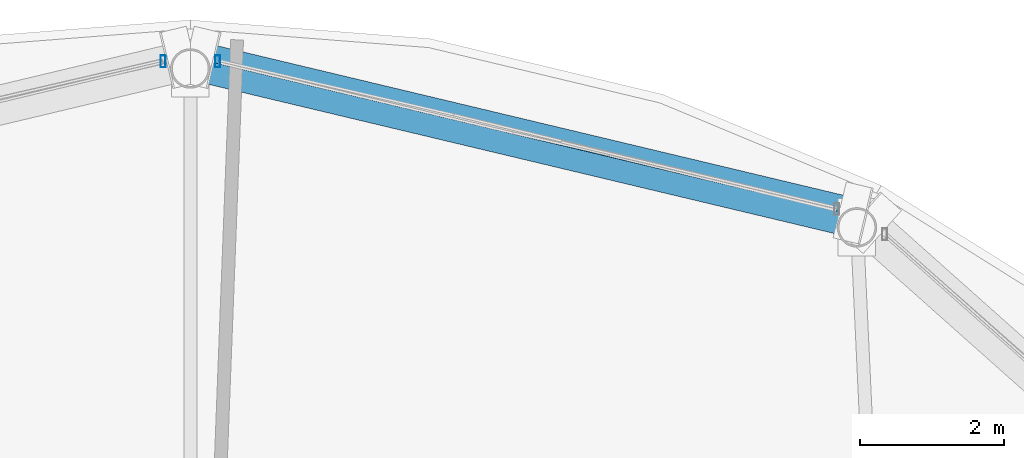
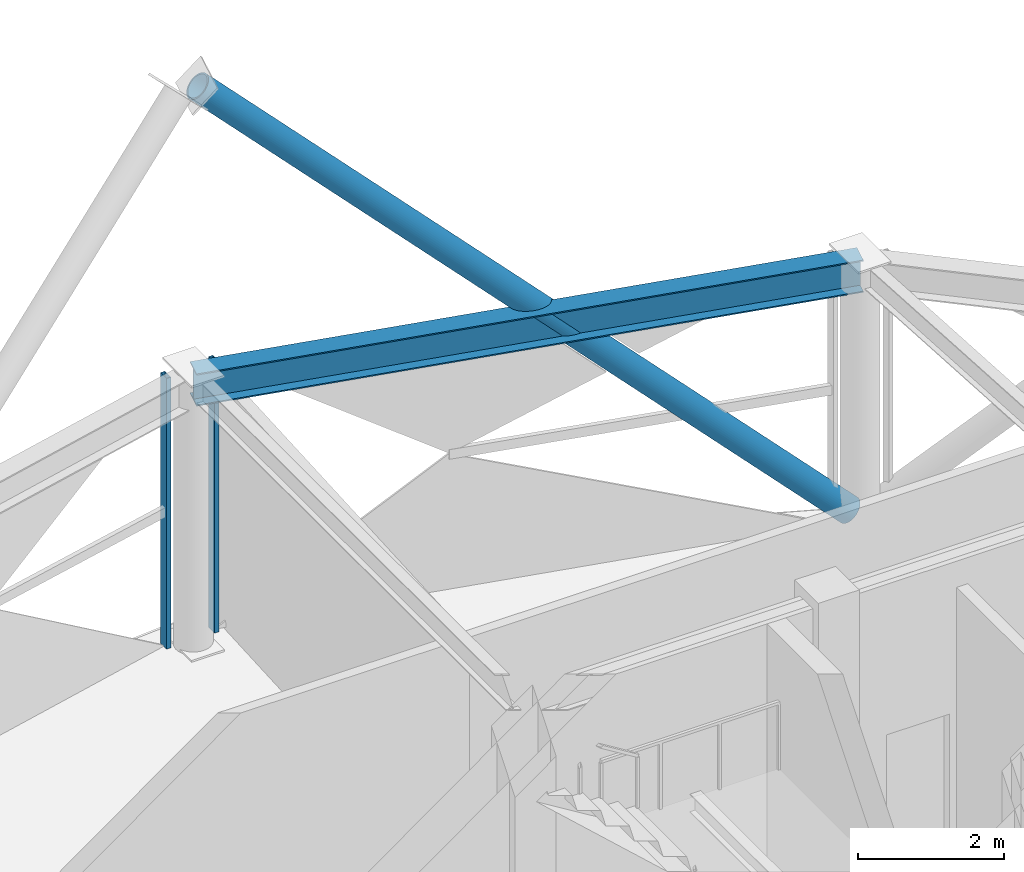
# One storey, part 18 of 27: 3 members, 1 beam, 2 elements without a shape of their own.
"""IFC4 building model written with IfcOpenShell, lengths in metres."""

import ifcopenshell
import ifcopenshell.guid

model = None  # the IFC model being written
_history = None  # IfcOwnerHistory: only IFC2X3 demands one
_inside = {}  # id of a spatial element -> (the spatial element, [elements in it])
_under = {}  # id of a project, library or spatial element -> (it, [spatial elements below it])
_declared = {}  # id of a project -> (the project, [libraries it declares])
_typed = {}  # id of a type object -> (the type object, [elements of that type])
_made_of = {}  # id of a material, layer set ... -> (it, [elements and type objects made of it])


def new_model(schema):
    """Start an empty IFC model of exactly this schema.

    Asked for "IFC4X3", IfcOpenShell would pick the latest addendum, in which some entities
    have other attributes; the version numbers below select the first issue.
    IFC2X3 requires an IfcOwnerHistory on every rooted entity: one is made here for all.
    """
    global model, _history
    if schema == "IFC4X3":
        model = ifcopenshell.file(schema_version=(4, 3, 0, 0))
    else:
        model = ifcopenshell.file(schema=schema)
    _inside.clear()
    _under.clear()
    _declared.clear()
    _typed.clear()
    _made_of.clear()
    _history = None
    if model.schema == "IFC2X3":
        org = make("IfcOrganization", Name="unknown")
        user = make(
            "IfcPersonAndOrganization",
            ThePerson=make("IfcPerson", FamilyName="unknown"),
            TheOrganization=org,
        )
        app = make(
            "IfcApplication",
            ApplicationDeveloper=org,
            Version="unknown",
            ApplicationFullName="unknown",
            ApplicationIdentifier="unknown",
        )
        _history = make(
            "IfcOwnerHistory",
            OwningUser=user,
            OwningApplication=app,
            ChangeAction="ADDED",
            CreationDate=0,
        )
    return model


def make(cls, **values):
    """One entity of the class cls with the attributes given. An attribute that is None is left unset."""
    return model.create_entity(
        cls, **{name: value for name, value in values.items() if value is not None}
    )


def rooted(cls, **values):
    """An entity with a GlobalId (a new one), such as an element, a storey or a relation."""
    return make(cls, GlobalId=ifcopenshell.guid.new(), OwnerHistory=_history, **values)


def si_unit(unit_type, name, prefix=None):
    """IfcSIUnit, for example si_unit("LENGTHUNIT", "METRE", prefix="MILLI")."""
    return make("IfcSIUnit", UnitType=unit_type, Prefix=prefix, Name=name)


def assignment(units):
    """IfcUnitAssignment: the units of a project."""
    return None if units is None else make("IfcUnitAssignment", Units=units)


def point(xyz):
    """IfcCartesianPoint."""
    return None if xyz is None else make("IfcCartesianPoint", Coordinates=xyz)


def direction(xyz):
    """IfcDirection."""
    return None if xyz is None else make("IfcDirection", DirectionRatios=xyz)


def frame(location, z_axis=None, x_axis=None):
    """IfcAxis2Placement3D, a coordinate frame: its origin and axes. An axis left out is left unset."""
    return make(
        "IfcAxis2Placement3D",
        Location=point(location),
        Axis=direction(z_axis),
        RefDirection=direction(x_axis),
    )


def frame_2d(location, x_axis=None):
    """IfcAxis2Placement2D, a coordinate frame in the plane: its origin and x axis."""
    return make(
        "IfcAxis2Placement2D", Location=point(location), RefDirection=direction(x_axis)
    )


def origin():
    """The frame at (0, 0, 0) with its axes left unset."""
    return frame((0.0, 0.0, 0.0))


def origin_2d():
    """The frame at (0, 0) in the plane with its x axis left unset."""
    return frame_2d((0.0, 0.0))


def place(relative_to, where):
    """IfcLocalPlacement: puts the frame where relative to a parent placement (None: the world)."""
    return make(
        "IfcLocalPlacement", PlacementRelTo=relative_to, RelativePlacement=where
    )


def context(
    kind, dimensions, precision=None, world=None, true_north=None, identifier=None
):
    """IfcGeometricRepresentationContext, for example the 3D "Model" context."""
    return make(
        "IfcGeometricRepresentationContext",
        ContextIdentifier=identifier,
        ContextType=kind,
        CoordinateSpaceDimension=dimensions,
        Precision=precision,
        WorldCoordinateSystem=world,
        TrueNorth=true_north,
    )


def subcontext(parent, identifier, kind, view, scale=None):
    """IfcGeometricRepresentationSubContext, for example "Body" below "Model"."""
    return make(
        "IfcGeometricRepresentationSubContext",
        ContextIdentifier=identifier,
        ContextType=kind,
        ParentContext=parent,
        TargetScale=scale,
        TargetView=view,
    )


def project(units=None, contexts=None):
    """IfcProject with its units and contexts."""
    return rooted(
        "IfcProject",
        Name="project",
        RepresentationContexts=contexts,
        UnitsInContext=assignment(units),
    )


def spatial(cls, under=None, at=None, **own):
    """A site, building, storey or space (cls), placed at a placement, below another one or the project."""
    s = rooted(cls, ObjectPlacement=at, **own)
    if under is not None:
        _under.setdefault(under.id(), (under, []))[1].append(s)
    return s


def profile(cls, at=None, kind="AREA", **sizes):
    """A parametric profile (cls). Its sizes go by their IFC names, for example OverallWidth=200.0."""
    return make(cls, ProfileType=kind, Position=at, **sizes)


def hollow_rectangle(**sizes):
    """IfcRectangleHollowProfileDef."""
    return profile("IfcRectangleHollowProfileDef", **sizes)


def hollow_circle(**sizes):
    """IfcCircleHollowProfileDef."""
    return profile("IfcCircleHollowProfileDef", **sizes)


def i_section(**sizes):
    """IfcIShapeProfileDef."""
    return profile("IfcIShapeProfileDef", **sizes)


def extrude(swept, where, along, depth):
    """IfcExtrudedAreaSolid: the profile swept, set in the frame where, extruded along a direction by depth."""
    return make(
        "IfcExtrudedAreaSolid",
        SweptArea=swept,
        Position=where,
        ExtrudedDirection=direction(along),
        Depth=depth,
    )


def shape(context_of_items, identifier, shape_type, items):
    """IfcShapeRepresentation: the items that make up one representation, for example the "Body"."""
    return make(
        "IfcShapeRepresentation",
        ContextOfItems=context_of_items,
        RepresentationIdentifier=identifier,
        RepresentationType=shape_type,
        Items=items,
    )


def material(Name=None, Category=None):
    """IfcMaterial."""
    return make("IfcMaterial", Name=Name, Category=Category)


def layer(
    of_material, thickness, ventilated=None, Name=None, Category=None, Priority=None
):
    """IfcMaterialLayer: one layer of a wall or slab, of a material (None: an air gap)."""
    return make(
        "IfcMaterialLayer",
        Material=of_material,
        LayerThickness=thickness,
        IsVentilated=ventilated,
        Name=Name,
        Category=Category,
        Priority=Priority,
    )


def layer_set(layers, Name=None):
    """IfcMaterialLayerSet."""
    return make("IfcMaterialLayerSet", MaterialLayers=layers, LayerSetName=Name)


def material_profile(
    of_material, cross_section, Name=None, Category=None, Priority=None
):
    """IfcMaterialProfile: a cross section and its material."""
    return make(
        "IfcMaterialProfile",
        Name=Name,
        Material=of_material,
        Profile=cross_section,
        Priority=Priority,
        Category=Category,
    )


def profile_set(profiles, Name=None, composite=None):
    """IfcMaterialProfileSet."""
    return make(
        "IfcMaterialProfileSet",
        Name=Name,
        MaterialProfiles=profiles,
        CompositeProfile=composite,
    )


def made_of(thing, what):
    """Note that an element or type object is made of a material, layer set ...; save() writes the relation."""
    if what is not None:
        _made_of.setdefault(what.id(), (what, []))[1].append(thing)
    return thing


def type_object(cls, material=None, **own):
    """A type object (cls), such as IfcWallType, which elements share."""
    return made_of(rooted(cls, **own), material)


def element(
    cls,
    number,
    at=None,
    inside=None,
    cuts=None,
    type_object=None,
    material=None,
    context=None,
    identifier="Body",
    shape_type=None,
    held_by="IfcProductDefinitionShape",
    body=None,
    shapes=None,
    **own,
):
    """One element of the class cls, such as IfcWall. Its Tag is "e" and its number.

    at: its placement. inside: the storey or other place that contains it. cuts: it is an
    opening in that element (IfcRelVoidsElement). A single representation is given by context,
    identifier, shape_type and body (its items); several are given by shapes. held_by: the class
    of the entity that holds the representations. save() writes the other relations.
    """
    e = rooted(cls, Tag="e%d" % number, ObjectPlacement=at, **own)
    if body is not None:
        shapes = [shape(context, identifier, shape_type, body)]
    if shapes is not None:
        e.Representation = make(held_by, Representations=shapes)
    if inside is not None:
        _inside.setdefault(inside.id(), (inside, []))[1].append(e)
    if cuts is not None:
        rooted(
            "IfcRelVoidsElement", RelatingBuildingElement=cuts, RelatedOpeningElement=e
        )
    if type_object is not None:
        _typed.setdefault(type_object.id(), (type_object, []))[1].append(e)
    return made_of(e, material)


def aggregate(whole, parts):
    """IfcRelAggregates: a whole, such as a stair, and the parts it consists of."""
    return rooted("IfcRelAggregates", RelatingObject=whole, RelatedObjects=parts)


def save(model, path):
    """Write the relations noted so far, then the file.

    IfcRelAggregates (storeys below a building ...), IfcRelContainedInSpatialStructure (elements
    in a storey), IfcRelDefinesByType, IfcRelAssociatesMaterial and IfcRelDeclares: one each for
    every whole, place, type object, material and project.
    """
    for whole, parts in _under.values():
        aggregate(whole, parts)
    for where, things in _inside.values():
        rooted(
            "IfcRelContainedInSpatialStructure",
            RelatedElements=things,
            RelatingStructure=where,
        )
    for kind, things in _typed.values():
        rooted("IfcRelDefinesByType", RelatedObjects=things, RelatingType=kind)
    for what, things in _made_of.values():
        rooted("IfcRelAssociatesMaterial", RelatedObjects=things, RelatingMaterial=what)
    for by, libraries in _declared.values():
        rooted("IfcRelDeclares", RelatingContext=by, RelatedDefinitions=libraries)
    model.write(path)


model = new_model("IFC4")

# Units and contexts
model_context = context("Model", 3, precision=1e-05, world=origin(), true_north=direction((0.0, 1.0)))
body_context = subcontext(model_context, "Body", "Model", "MODEL_VIEW")
ifc_project = project(units=[si_unit("LENGTHUNIT", "METRE"), si_unit("AREAUNIT", "SQUARE_METRE"), si_unit("VOLUMEUNIT", "CUBIC_METRE"), si_unit("PLANEANGLEUNIT", "RADIAN"), si_unit("MASSUNIT", "GRAM", prefix="KILO")], contexts=[model_context])

# Site, building, storey
site_placement = place(None, origin())
site = spatial("IfcSite", under=ifc_project, at=site_placement, CompositionType="ELEMENT")
building_placement = place(site_placement, origin())
building = spatial("IfcBuilding", under=site, at=building_placement, Name="Vantalir Tower", CompositionType="ELEMENT")
storey_placement = place(building_placement, frame((0.0, 0.0, 290.10009765625)))
storey = spatial("IfcBuildingStorey", under=building, at=storey_placement, Name="L73", CompositionType="ELEMENT", Elevation=290.10009765625)

# Beam
ifc_material_1 = material(Name="Steel S460", Category="steel")
ifc_material_profile_1 = material_profile(ifc_material_1, i_section(OverallWidth=0.31201171875, OverallDepth=0.5419921875, WebThickness=0.0126953125, FlangeThickness=0.020263671875, at=origin_2d()), Name="Steel S460")
ifc_profile_set_1 = profile_set([ifc_material_profile_1], Name="Steel S460")
beam_type = type_object("IfcBeamType", Name="BM-RG-533x312", PredefinedType="USERDEFINED", material=ifc_profile_set_1)
beam_placement = place(storey_placement, frame((40.780029296875, 39.300048828125, 4.348876953125), z_axis=(-0.972749896139, 0.231856937703, 0.0), x_axis=(-0.231856937703, -0.972749896139, 0.0)))
element("IfcBeam", 1, at=beam_placement, inside=storey, type_object=beam_type, Name="L73 Circumferential Ring Girder 03", ObjectType="GIRDER", PredefinedType="USERDEFINED", context=body_context, shape_type="SweptSolid", body=[
    extrude(i_section(OverallWidth=0.31201171875, OverallDepth=0.5419921875, WebThickness=0.0126953125, FlangeThickness=0.020263671875, at=origin_2d()), origin(), (0.0, 0.0, 1.0), 9.5400390625),
])

# Curtain wall, member
ifc_material_2 = material(Name="Champagne-silver PVDF aluminium and double-silver Low-E glass", Category="aluminium")
ifc_layer = layer(ifc_material_2, 0.219970703125)
ifc_layer_set = layer_set([ifc_layer], Name="Champagne-silver PVDF aluminium and double-silver Low-E glass")
curtain_wall_type = type_object("IfcCurtainWallType", Name="CW-DIAMOND-Z4", PredefinedType="USERDEFINED", material=ifc_layer_set)
curtain_wall_1_placement = place(storey_placement, origin())
curtain_wall_1 = element("IfcCurtainWall", 2, at=curtain_wall_1_placement, inside=storey, type_object=curtain_wall_type, Name="L73 Quilted Pyramid-Diamond Curtain Wall S03", ObjectType="UNITISED CURTAIN WALL", PredefinedType="USERDEFINED")
ifc_material_3 = material(Name="Champagne-silver PVDF aluminium 6063-T6", Category="aluminium")
ifc_material_profile_2 = material_profile(ifc_material_3, hollow_rectangle(XDim=0.070068359375, YDim=0.1650390625, WallThickness=0.00390625, at=origin_2d()), Name="Champagne-silver PVDF aluminium 6063-T6")
ifc_profile_set_2 = profile_set([ifc_material_profile_2], Name="Champagne-silver PVDF aluminium 6063-T6")
member_type_1 = type_object("IfcMemberType", Name="CWM-165x70", PredefinedType="MULLION", material=ifc_profile_set_2)
member_1_placement = place(storey_placement, frame((31.87890625, 41.611083984375, 0.044921875), z_axis=(0.0, 0.0, 1.0), x_axis=(1.0, 0.0, 0.0)))
member_1 = element("IfcMember", 3, at=member_1_placement, type_object=member_type_1, Name="CW-L73-S03 Mullion 2", PredefinedType="MULLION", context=body_context, shape_type="SweptSolid", body=[
    extrude(hollow_rectangle(XDim=0.070068359375, YDim=0.1650390625, WallThickness=0.00390625, at=origin_2d()), origin(), (0.0, 0.0, 1.0), 4.530029296875),
])
aggregate(curtain_wall_1, [member_1])

curtain_wall_2_placement = place(storey_placement, origin())
curtain_wall_2 = element("IfcCurtainWall", 4, at=curtain_wall_2_placement, inside=storey, type_object=curtain_wall_type, Name="L73 Quilted Pyramid-Diamond Curtain Wall S04", ObjectType="UNITISED CURTAIN WALL", PredefinedType="USERDEFINED")
member_2_placement = place(storey_placement, frame((31.12109375, 41.611083984375, 0.044921875), z_axis=(0.0, 0.0, 1.0), x_axis=(1.0, 0.0, 0.0)))
member_2 = element("IfcMember", 5, at=member_2_placement, type_object=member_type_1, Name="CW-L73-S04 Mullion 1", PredefinedType="MULLION", context=body_context, shape_type="SweptSolid", body=[
    extrude(hollow_rectangle(XDim=0.070068359375, YDim=0.1650390625, WallThickness=0.00390625, at=origin_2d()), origin(), (0.0, 0.0, 1.0), 4.530029296875),
])
aggregate(curtain_wall_2, [member_2])

# Member
ifc_material_profile_3 = material_profile(ifc_material_1, hollow_circle(Radius=0.2099609375, WallThickness=0.02490234375, at=origin_2d()), Name="Steel S460")
ifc_profile_set_3 = profile_set([ifc_material_profile_3], Name="Steel S460")
member_type_2 = type_object("IfcMemberType", Name="MEM-DB-420x25", PredefinedType="BRACE", material=ifc_profile_set_3)
member_3_placement = place(storey_placement, frame((40.720947265625, 39.5009765625, 0.23193359375), z_axis=(-0.701401813214, 0.167408736936, 0.692827403628), x_axis=(-0.232156338212, -0.972678484715, 0.0)))
element("IfcMember", 6, at=member_3_placement, inside=storey, type_object=member_type_2, Name="L73 Perimeter S460 Diagrid Brace R07L", PredefinedType="BRACE", context=body_context, shape_type="SweptSolid", body=[
    extrude(hollow_circle(Radius=0.2099609375, WallThickness=0.02490234375, at=origin_2d()), origin(), (0.0, 0.0, 1.0), 12.9267578125),
])

save(model, "model.ifc")
